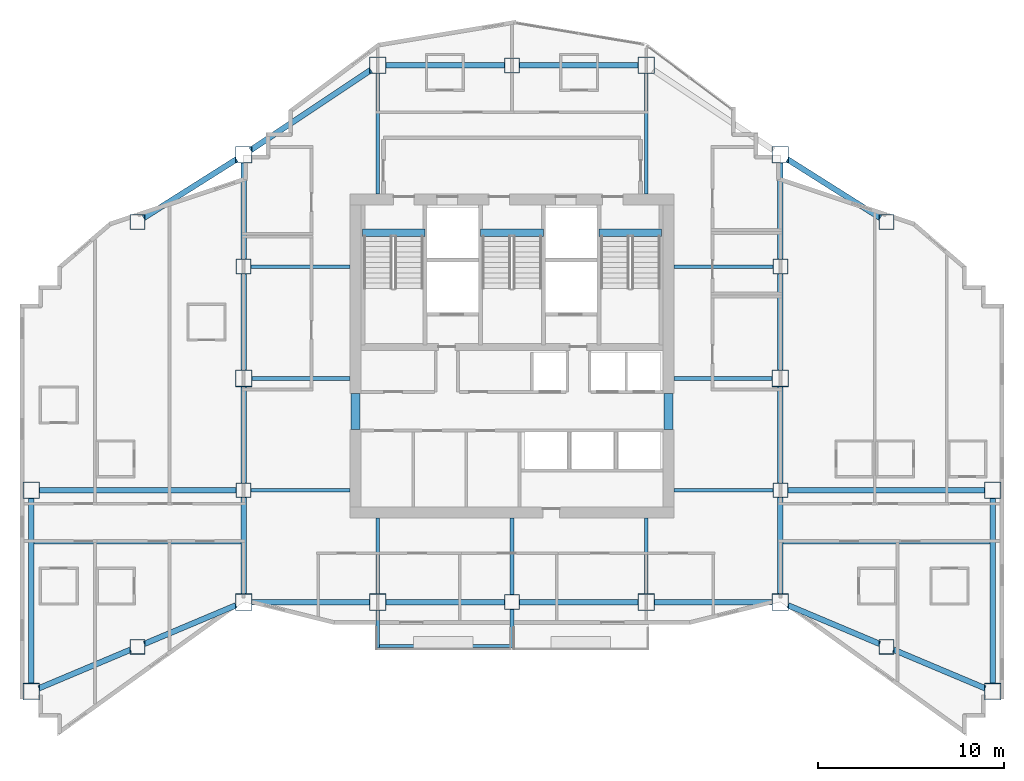
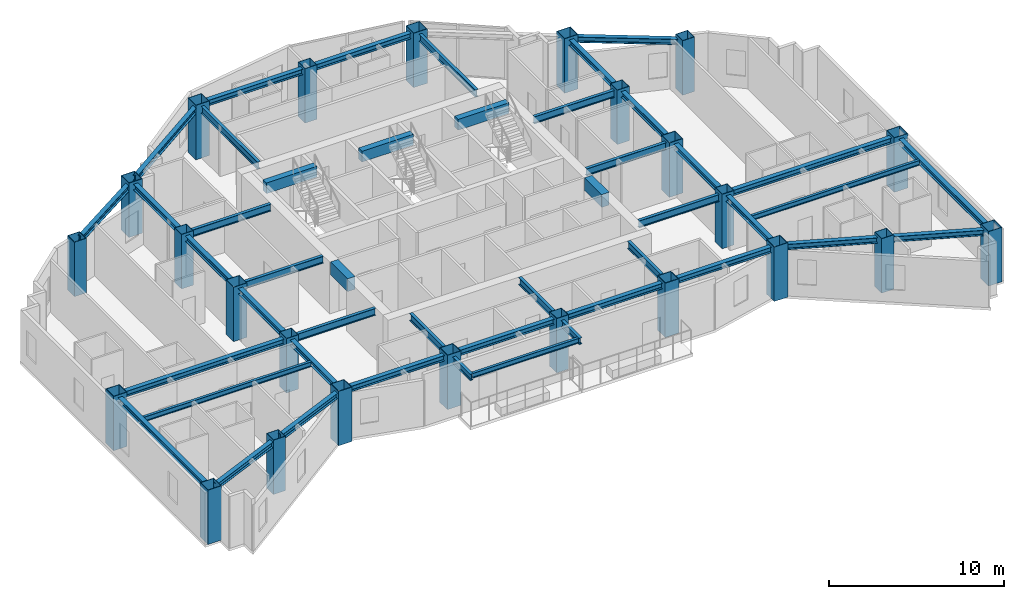
# One storey, part 1 of 11: 46 beams, 24 columns.
"""IFC4 building model written with IfcOpenShell, lengths in metres."""

from ifc_helpers import new_model, si_unit, direction, frame, origin, origin_2d, place, context, subcontext, project, spatial, rectangle, hollow_rectangle, i_section, extrude, material, material_profile, profile_set, type_object, element, save


model = new_model("IFC4")

# Units and contexts
model_context = context("Model", 3, precision=1e-05, world=origin(), true_north=direction((0.0, 1.0)))
body_context = subcontext(model_context, "Body", "Model", "MODEL_VIEW")
ifc_project = project(units=[si_unit("LENGTHUNIT", "METRE"), si_unit("AREAUNIT", "SQUARE_METRE"), si_unit("VOLUMEUNIT", "CUBIC_METRE"), si_unit("PLANEANGLEUNIT", "RADIAN"), si_unit("MASSUNIT", "GRAM", prefix="KILO")], contexts=[model_context])

# Site, building, storey
site_placement = place(None, origin())
site = spatial("IfcSite", under=ifc_project, at=site_placement, CompositionType="ELEMENT")
building_placement = place(site_placement, origin())
building = spatial("IfcBuilding", under=site, at=building_placement, Name="Haolan Belvedere Tower", CompositionType="ELEMENT")
storey_placement = place(building_placement, frame((0.0, 0.0, 215.39990234375)))
storey = spatial("IfcBuildingStorey", under=building, at=storey_placement, Name="L54", CompositionType="ELEMENT", Elevation=215.39990234375)

# Columns
ifc_material_1 = material(Name="Steel Q390GJC", Category="steel")
ifc_material_profile_1 = material_profile(ifc_material_1, hollow_rectangle(XDim=0.800048828125, YDim=0.800048828125, WallThickness=0.030029296875, at=origin_2d()), Name="Steel Q390GJC")
ifc_profile_set_1 = profile_set([ifc_material_profile_1], Name="Steel Q390GJC")
column_type_1 = type_object("IfcColumnType", Name="COL-BOX800x800x30", PredefinedType="COLUMN", material=ifc_profile_set_1)
for number, where, z_axis, x_axis, name in (
    (1, (24.0, 27.60009765625, 0.0), (0.0, 0.0, 1.0), (1.0, 0.0, 0.0), "L54 column TC-T3-W1 (BOX800x800x30)"),
    (2, (24.0, 39.60009765625, 0.0), (0.0, 0.0, 1.0), (1.0, 0.0, 0.0), "L54 column TC-T3-W2 (BOX800x800x30)"),
    (3, (52.800048828125, 27.60009765625, 0.0), (0.0, 0.0, 1.0), (1.0, 0.0, 0.0), "L54 column TC-T3-E1 (BOX800x800x30)"),
    (4, (52.800048828125, 39.60009765625, 0.0), (0.0, 0.0, 1.0), (1.0, 0.0, 0.0), "L54 column TC-T3-E2 (BOX800x800x30)"),
    (5, (38.39990234375, 21.60009765625, 0.0), (0.0, 0.0, 1.0), (1.0, 0.0, 0.0), "L54 column TC-T3-SM (BOX800x800x30)"),
    (6, (38.39990234375, 50.39990234375, 0.0), (0.0, 0.0, 1.0), (1.0, 0.0, 0.0), "L54 column TC-T3-NM (BOX800x800x30)"),
    (7, (18.300048828125, 19.199951171875, 0.0), (0.0, 0.0, 1.0), (1.0, 0.0, 0.0), "L54 column TC-T2-S1 (BOX800x800x30)"),
    (8, (18.300048828125, 42.0, 0.0), (0.0, 0.0, 1.0), (1.0, 0.0, 0.0), "L54 column TC-T2-N1 (BOX800x800x30)"),
    (9, (58.5, 19.199951171875, 0.0), (0.0, 0.0, 1.0), (1.0, 0.0, 0.0), "L54 column TC-T4-S1 (BOX800x800x30)"),
    (10, (58.5, 42.0, 0.0), (0.0, 0.0, 1.0), (1.0, 0.0, 0.0), "L54 column TC-T4-N1 (BOX800x800x30)"),
):
    element("IfcColumn", number, at=place(storey_placement, frame(where, z_axis=z_axis, x_axis=x_axis)), inside=storey, type_object=column_type_1, Name=name, PredefinedType="COLUMN", context=body_context, shape_type="SweptSolid", body=[
        extrude(hollow_rectangle(XDim=0.800048828125, YDim=0.800048828125, WallThickness=0.030029296875, at=origin_2d()), origin(), (0.0, 0.0, 1.0), 3.800048828125),
    ])
ifc_material_profile_2 = material_profile(ifc_material_1, hollow_rectangle(XDim=0.89990234375, YDim=0.89990234375, WallThickness=0.033935546875, at=origin_2d()), Name="Steel Q390GJC")
ifc_profile_set_2 = profile_set([ifc_material_profile_2], Name="Steel Q390GJC")
column_type_2 = type_object("IfcColumnType", Name="COL-BOX900x900x34", PredefinedType="COLUMN", material=ifc_profile_set_2)
for number, where, z_axis, x_axis, name in (
    (11, (24.0, 21.60009765625, 0.0), (0.0, 0.0, 1.0), (1.0, 0.0, 0.0), "L54 column MC-T3-SW (BOX900x900x34)"),
    (12, (24.0, 33.60009765625, 0.0), (0.0, 0.0, 1.0), (1.0, 0.0, 0.0), "L54 column MC-T3-MW (BOX900x900x34)"),
    (13, (24.0, 45.60009765625, 0.0), (0.0, 0.0, 1.0), (1.0, 0.0, 0.0), "L54 column MC-T3-NW (BOX900x900x34)"),
    (14, (52.800048828125, 21.60009765625, 0.0), (0.0, 0.0, 1.0), (1.0, 0.0, 0.0), "L54 column MC-T3-SE (BOX900x900x34)"),
    (15, (52.800048828125, 33.60009765625, 0.0), (0.0, 0.0, 1.0), (1.0, 0.0, 0.0), "L54 column MC-T3-ME (BOX900x900x34)"),
    (16, (52.800048828125, 45.60009765625, 0.0), (0.0, 0.0, 1.0), (1.0, 0.0, 0.0), "L54 column MC-T3-NE (BOX900x900x34)"),
    (17, (31.199951171875, 21.60009765625, 0.0), (0.0, 0.0, 1.0), (1.0, 0.0, 0.0), "L54 column MC-T3-S1 (BOX900x900x34)"),
    (18, (45.60009765625, 21.60009765625, 0.0), (0.0, 0.0, 1.0), (1.0, 0.0, 0.0), "L54 column MC-T3-S2 (BOX900x900x34)"),
    (19, (31.199951171875, 50.39990234375, 0.0), (0.0, 0.0, 1.0), (1.0, 0.0, 0.0), "L54 column MC-T3-N1 (BOX900x900x34)"),
    (20, (45.60009765625, 50.39990234375, 0.0), (0.0, 0.0, 1.0), (1.0, 0.0, 0.0), "L54 column MC-T3-N2 (BOX900x900x34)"),
    (21, (12.60009765625, 16.800048828125, 0.0), (0.0, 0.0, 1.0), (1.0, 0.0, 0.0), "L54 column MC-T2-SW (BOX900x900x34)"),
    (22, (12.60009765625, 27.60009765625, 0.0), (0.0, 0.0, 1.0), (1.0, 0.0, 0.0), "L54 column MC-T2-MW (BOX900x900x34)"),
    (23, (64.199951171875, 16.800048828125, 0.0), (0.0, 0.0, 1.0), (1.0, 0.0, 0.0), "L54 column MC-T4-SE (BOX900x900x34)"),
    (24, (64.199951171875, 27.60009765625, 0.0), (0.0, 0.0, 1.0), (1.0, 0.0, 0.0), "L54 column MC-T4-ME (BOX900x900x34)"),
):
    element("IfcColumn", number, at=place(storey_placement, frame(where, z_axis=z_axis, x_axis=x_axis)), inside=storey, type_object=column_type_2, Name=name, PredefinedType="COLUMN", context=body_context, shape_type="SweptSolid", body=[
        extrude(hollow_rectangle(XDim=0.89990234375, YDim=0.89990234375, WallThickness=0.033935546875, at=origin_2d()), origin(), (0.0, 0.0, 1.0), 3.800048828125),
    ])

# Beams
ifc_material_2 = material(Name="Steel Q355B", Category="steel")
ifc_material_profile_3 = material_profile(ifc_material_2, i_section(OverallWidth=0.300048828125, OverallDepth=0.389892578125, WebThickness=0.010009765625, FlangeThickness=0.01611328125, FilletRadius=0.02197265625, at=origin_2d()), Name="Steel Q355B")
ifc_profile_set_3 = profile_set([ifc_material_profile_3], Name="Steel Q355B")
beam_type_1 = type_object("IfcBeamType", Name="BM-HM390x300x10x16", PredefinedType="SPANDREL", material=ifc_profile_set_3)
for number, where, z_axis, x_axis, name in (
    (25, (24.0, 22.050048828125, 3.425048828125), (0.0, 1.0, 0.0), (-1.0, 0.0, 0.0), "L54 spandrel girder MC-T3-SW-TC-T3-W1"),
    (26, (24.0, 28.0, 3.425048828125), (0.0, 1.0, 0.0), (-1.0, 0.0, 0.0), "L54 spandrel girder TC-T3-W1-MC-T3-MW"),
    (27, (24.0, 34.050048828125, 3.425048828125), (0.0, 1.0, 0.0), (-1.0, 0.0, 0.0), "L54 spandrel girder MC-T3-MW-TC-T3-W2"),
    (28, (24.0, 40.0, 3.425048828125), (0.0, 1.0, 0.0), (-1.0, 0.0, 0.0), "L54 spandrel girder TC-T3-W2-MC-T3-NW"),
    (29, (52.800048828125, 22.050048828125, 3.425048828125), (0.0, 1.0, 0.0), (-1.0, 0.0, 0.0), "L54 spandrel girder MC-T3-SE-TC-T3-E1"),
    (30, (52.800048828125, 28.0, 3.425048828125), (0.0, 1.0, 0.0), (-1.0, 0.0, 0.0), "L54 spandrel girder TC-T3-E1-MC-T3-ME"),
    (31, (52.800048828125, 34.050048828125, 3.425048828125), (0.0, 1.0, 0.0), (-1.0, 0.0, 0.0), "L54 spandrel girder MC-T3-ME-TC-T3-E2"),
    (32, (52.800048828125, 40.0, 3.425048828125), (0.0, 1.0, 0.0), (-1.0, 0.0, 0.0), "L54 spandrel girder TC-T3-E2-MC-T3-NE"),
):
    element("IfcBeam", number, at=place(storey_placement, frame(where, z_axis=z_axis, x_axis=x_axis)), inside=storey, type_object=beam_type_1, Name=name, PredefinedType="SPANDREL", context=body_context, shape_type="SweptSolid", body=[
        extrude(i_section(OverallWidth=0.300048828125, OverallDepth=0.389892578125, WebThickness=0.010009765625, FlangeThickness=0.01611328125, FilletRadius=0.02197265625, at=origin_2d()), origin(), (0.0, 0.0, 1.0), 5.14990234375),
    ])
beam_1_placement = place(storey_placement, frame((24.449951171875, 21.60009765625, 3.425048828125), z_axis=(1.0, 0.0, 0.0), x_axis=(0.0, 1.0, 0.0)))
element("IfcBeam", 33, at=beam_1_placement, inside=storey, type_object=beam_type_1, Name="L54 spandrel girder MC-T3-SW-MC-T3-S1", PredefinedType="SPANDREL", context=body_context, shape_type="SweptSolid", body=[
    extrude(i_section(OverallWidth=0.300048828125, OverallDepth=0.389892578125, WebThickness=0.010009765625, FlangeThickness=0.01611328125, FilletRadius=0.02197265625, at=origin_2d()), origin(), (0.0, 0.0, 1.0), 6.300048828125),
])
beam_2_placement = place(storey_placement, frame((31.64990234375, 21.60009765625, 3.425048828125), z_axis=(1.0, 0.0, 0.0), x_axis=(0.0, 1.0, 0.0)))
element("IfcBeam", 34, at=beam_2_placement, inside=storey, type_object=beam_type_1, Name="L54 spandrel girder MC-T3-S1-TC-T3-SM", PredefinedType="SPANDREL", context=body_context, shape_type="SweptSolid", body=[
    extrude(i_section(OverallWidth=0.300048828125, OverallDepth=0.389892578125, WebThickness=0.010009765625, FlangeThickness=0.01611328125, FilletRadius=0.02197265625, at=origin_2d()), origin(), (0.0, 0.0, 1.0), 6.35009765625),
])
beam_3_placement = place(storey_placement, frame((38.800048828125, 21.60009765625, 3.425048828125), z_axis=(1.0, 0.0, 0.0), x_axis=(0.0, 1.0, 0.0)))
element("IfcBeam", 35, at=beam_3_placement, inside=storey, type_object=beam_type_1, Name="L54 spandrel girder TC-T3-SM-MC-T3-S2", PredefinedType="SPANDREL", context=body_context, shape_type="SweptSolid", body=[
    extrude(i_section(OverallWidth=0.300048828125, OverallDepth=0.389892578125, WebThickness=0.010009765625, FlangeThickness=0.01611328125, FilletRadius=0.02197265625, at=origin_2d()), origin(), (0.0, 0.0, 1.0), 6.349853515625),
])
beam_4_placement = place(storey_placement, frame((46.050048828125, 21.60009765625, 3.425048828125), z_axis=(1.0, 0.0, 0.0), x_axis=(0.0, 1.0, 0.0)))
element("IfcBeam", 36, at=beam_4_placement, inside=storey, type_object=beam_type_1, Name="L54 spandrel girder MC-T3-S2-MC-T3-SE", PredefinedType="SPANDREL", context=body_context, shape_type="SweptSolid", body=[
    extrude(i_section(OverallWidth=0.300048828125, OverallDepth=0.389892578125, WebThickness=0.010009765625, FlangeThickness=0.01611328125, FilletRadius=0.02197265625, at=origin_2d()), origin(), (0.0, 0.0, 1.0), 6.300048828125),
])
beam_5_placement = place(storey_placement, frame((24.37451171875, 45.849609375, 3.425048828125), z_axis=(0.832050294338, 0.554700196225, 0.0), x_axis=(-0.554700196225, 0.832050294338, 0.0)))
element("IfcBeam", 37, at=beam_5_placement, inside=storey, type_object=beam_type_1, Name="L54 spandrel girder MC-T3-NW-MC-T3-N1", PredefinedType="SPANDREL", context=body_context, shape_type="SweptSolid", body=[
    extrude(i_section(OverallWidth=0.300048828125, OverallDepth=0.389892578125, WebThickness=0.010009765625, FlangeThickness=0.01611328125, FilletRadius=0.02197265625, at=origin_2d()), origin(), (0.0, 0.0, 1.0), 7.75341796875),
])
beam_6_placement = place(storey_placement, frame((31.64990234375, 50.39990234375, 3.425048828125), z_axis=(1.0, 0.0, 0.0), x_axis=(0.0, 1.0, 0.0)))
element("IfcBeam", 38, at=beam_6_placement, inside=storey, type_object=beam_type_1, Name="L54 spandrel girder MC-T3-N1-TC-T3-NM", PredefinedType="SPANDREL", context=body_context, shape_type="SweptSolid", body=[
    extrude(i_section(OverallWidth=0.300048828125, OverallDepth=0.389892578125, WebThickness=0.010009765625, FlangeThickness=0.01611328125, FilletRadius=0.02197265625, at=origin_2d()), origin(), (0.0, 0.0, 1.0), 6.35009765625),
])
beam_7_placement = place(storey_placement, frame((38.800048828125, 50.39990234375, 3.425048828125), z_axis=(1.0, 0.0, 0.0), x_axis=(0.0, 1.0, 0.0)))
element("IfcBeam", 39, at=beam_7_placement, inside=storey, type_object=beam_type_1, Name="L54 spandrel girder TC-T3-NM-MC-T3-N2", PredefinedType="SPANDREL", context=body_context, shape_type="SweptSolid", body=[
    extrude(i_section(OverallWidth=0.300048828125, OverallDepth=0.389892578125, WebThickness=0.010009765625, FlangeThickness=0.01611328125, FilletRadius=0.02197265625, at=origin_2d()), origin(), (0.0, 0.0, 1.0), 6.349853515625),
])
beam_8_placement = place(storey_placement, frame((12.60009765625, 17.25, 3.425048828125), z_axis=(0.0, 1.0, 0.0), x_axis=(-1.0, 0.0, 0.0)))
element("IfcBeam", 40, at=beam_8_placement, inside=storey, type_object=beam_type_1, Name="L54 spandrel girder MC-T2-SW-MC-T2-MW", PredefinedType="SPANDREL", context=body_context, shape_type="SweptSolid", body=[
    extrude(i_section(OverallWidth=0.300048828125, OverallDepth=0.389892578125, WebThickness=0.010009765625, FlangeThickness=0.01611328125, FilletRadius=0.02197265625, at=origin_2d()), origin(), (0.0, 0.0, 1.0), 9.89990234375),
])
beam_9_placement = place(storey_placement, frame((13.0146484375, 16.974609375, 3.425048828125), z_axis=(0.921644850741, 0.388034494733, 0.0), x_axis=(-0.388034494733, 0.921644850741, 0.0)))
element("IfcBeam", 41, at=beam_9_placement, inside=storey, type_object=beam_type_1, Name="L54 spandrel girder MC-T2-SW-TC-T2-S1", PredefinedType="SPANDREL", context=body_context, shape_type="SweptSolid", body=[
    extrude(i_section(OverallWidth=0.300048828125, OverallDepth=0.389892578125, WebThickness=0.010009765625, FlangeThickness=0.01611328125, FilletRadius=0.02197265625, at=origin_2d()), origin(), (0.0, 0.0, 1.0), 5.334716796875),
])
beam_10_placement = place(storey_placement, frame((18.668701171875, 19.355224609375, 3.425048828125), z_axis=(0.921637959557, 0.388050862006, 0.0), x_axis=(-0.388050862006, 0.921637959557, 0.0)))
element("IfcBeam", 42, at=beam_10_placement, inside=storey, type_object=beam_type_1, Name="L54 spandrel girder TC-T2-S1-MC-T3-SW", PredefinedType="SPANDREL", context=body_context, shape_type="SweptSolid", body=[
    extrude(i_section(OverallWidth=0.300048828125, OverallDepth=0.389892578125, WebThickness=0.010009765625, FlangeThickness=0.01611328125, FilletRadius=0.02197265625, at=origin_2d()), origin(), (0.0, 0.0, 1.0), 5.33447265625),
])
beam_11_placement = place(storey_placement, frame((18.63818359375, 42.213623046875, 3.425048828125), z_axis=(0.845502688092, 0.533971164417, 0.0), x_axis=(-0.533971164417, 0.845502688092, 0.0)))
element("IfcBeam", 43, at=beam_11_placement, inside=storey, type_object=beam_type_1, Name="L54 spandrel girder TC-T2-N1-MC-T3-NW", PredefinedType="SPANDREL", context=body_context, shape_type="SweptSolid", body=[
    extrude(i_section(OverallWidth=0.300048828125, OverallDepth=0.389892578125, WebThickness=0.010009765625, FlangeThickness=0.01611328125, FilletRadius=0.02197265625, at=origin_2d()), origin(), (0.0, 0.0, 1.0), 5.8916015625),
])
beam_12_placement = place(storey_placement, frame((13.050048828125, 27.60009765625, 3.425048828125), z_axis=(1.0, 0.0, 0.0), x_axis=(0.0, 1.0, 0.0)))
element("IfcBeam", 44, at=beam_12_placement, inside=storey, type_object=beam_type_1, Name="L54 spandrel girder MC-T2-MW-TC-T3-W1", PredefinedType="SPANDREL", context=body_context, shape_type="SweptSolid", body=[
    extrude(i_section(OverallWidth=0.300048828125, OverallDepth=0.389892578125, WebThickness=0.010009765625, FlangeThickness=0.01611328125, FilletRadius=0.02197265625, at=origin_2d()), origin(), (0.0, 0.0, 1.0), 10.550048828125),
])
beam_13_placement = place(storey_placement, frame((64.199951171875, 17.25, 3.425048828125), z_axis=(0.0, 1.0, 0.0), x_axis=(-1.0, 0.0, 0.0)))
element("IfcBeam", 45, at=beam_13_placement, inside=storey, type_object=beam_type_1, Name="L54 spandrel girder MC-T4-SE-MC-T4-ME", PredefinedType="SPANDREL", context=body_context, shape_type="SweptSolid", body=[
    extrude(i_section(OverallWidth=0.300048828125, OverallDepth=0.389892578125, WebThickness=0.010009765625, FlangeThickness=0.01611328125, FilletRadius=0.02197265625, at=origin_2d()), origin(), (0.0, 0.0, 1.0), 9.89990234375),
])
for number, where, z_axis, x_axis, name in (
    (46, (53.21484375, 21.42529296875, 3.425048828125), (0.921637959557, -0.388050862006, 0.0), (0.388050862006, 0.921637959557, 0.0), "L54 spandrel girder MC-T3-SE-TC-T4-S1"),
    (47, (58.86865234375, 19.044677734375, 3.425048828125), (0.921637959557, -0.388050862006, 0.0), (0.388050862006, 0.921637959557, 0.0), "L54 spandrel girder TC-T4-S1-MC-T4-SE"),
):
    element("IfcBeam", number, at=place(storey_placement, frame(where, z_axis=z_axis, x_axis=x_axis)), inside=storey, type_object=beam_type_1, Name=name, PredefinedType="SPANDREL", context=body_context, shape_type="SweptSolid", body=[
        extrude(i_section(OverallWidth=0.300048828125, OverallDepth=0.389892578125, WebThickness=0.010009765625, FlangeThickness=0.01611328125, FilletRadius=0.02197265625, at=origin_2d()), origin(), (0.0, 0.0, 1.0), 5.33447265625),
    ])
beam_14_placement = place(storey_placement, frame((53.180419921875, 45.359619140625, 3.425048828125), z_axis=(0.845502688092, -0.533971164417, 0.0), x_axis=(0.533971164417, 0.845502688092, 0.0)))
element("IfcBeam", 48, at=beam_14_placement, inside=storey, type_object=beam_type_1, Name="L54 spandrel girder MC-T3-NE-TC-T4-N1", PredefinedType="SPANDREL", context=body_context, shape_type="SweptSolid", body=[
    extrude(i_section(OverallWidth=0.300048828125, OverallDepth=0.389892578125, WebThickness=0.010009765625, FlangeThickness=0.01611328125, FilletRadius=0.02197265625, at=origin_2d()), origin(), (0.0, 0.0, 1.0), 5.8916015625),
])
beam_15_placement = place(storey_placement, frame((53.199951171875, 27.60009765625, 3.425048828125), z_axis=(1.0, 0.0, 0.0), x_axis=(0.0, 1.0, 0.0)))
element("IfcBeam", 49, at=beam_15_placement, inside=storey, type_object=beam_type_1, Name="L54 spandrel girder TC-T3-E1-MC-T4-ME", PredefinedType="SPANDREL", context=body_context, shape_type="SweptSolid", body=[
    extrude(i_section(OverallWidth=0.300048828125, OverallDepth=0.389892578125, WebThickness=0.010009765625, FlangeThickness=0.01611328125, FilletRadius=0.02197265625, at=origin_2d()), origin(), (0.0, 0.0, 1.0), 10.550048828125),
])
ifc_material_profile_4 = material_profile(ifc_material_2, i_section(OverallWidth=0.175048828125, OverallDepth=0.35009765625, WebThickness=0.007080078125, FlangeThickness=0.010986328125, FilletRadius=0.012939453125, at=origin_2d()), Name="Steel Q355B")
ifc_profile_set_4 = profile_set([ifc_material_profile_4], Name="Steel Q355B")
beam_type_2 = type_object("IfcBeamType", Name="BM-HN350x175x7x11", PredefinedType="JOIST", material=ifc_profile_set_4)
for number, where, z_axis, x_axis, name in (
    (50, (12.75, 24.800048828125, 3.445068359375), (1.0, 0.0, 0.0), (0.0, 1.0, 0.0), "L54 west wing floor joist 1"),
    (51, (52.949951171875, 24.800048828125, 3.445068359375), (1.0, 0.0, 0.0), (0.0, 1.0, 0.0), "L54 east wing floor joist 1"),
):
    element("IfcBeam", number, at=place(storey_placement, frame(where, z_axis=z_axis, x_axis=x_axis)), inside=storey, type_object=beam_type_2, Name=name, PredefinedType="JOIST", context=body_context, shape_type="SweptSolid", body=[
        extrude(i_section(OverallWidth=0.175048828125, OverallDepth=0.35009765625, WebThickness=0.007080078125, FlangeThickness=0.010986328125, FilletRadius=0.012939453125, at=origin_2d()), origin(), (0.0, 0.0, 1.0), 11.10009765625),
    ])
beam_16_placement = place(storey_placement, frame((31.300048828125, 19.239990234375, 3.39501953125), z_axis=(1.0, 0.0, 0.0), x_axis=(0.0, 1.0, 0.0)))
element("IfcBeam", 52, at=beam_16_placement, inside=storey, type_object=beam_type_2, Name="L55 tree-balcony front trimmer beam 1", PredefinedType="BEAM", context=body_context, shape_type="SweptSolid", body=[
    extrude(i_section(OverallWidth=0.175048828125, OverallDepth=0.35009765625, WebThickness=0.007080078125, FlangeThickness=0.010986328125, FilletRadius=0.012939453125, at=origin_2d()), origin(), (0.0, 0.0, 1.0), 7.0),
])
ifc_material_profile_5 = material_profile(ifc_material_2, i_section(OverallWidth=0.199951171875, OverallDepth=0.449951171875, WebThickness=0.009033203125, FlangeThickness=0.013916015625, FilletRadius=0.01611328125, at=origin_2d()), Name="Steel Q355B")
ifc_profile_set_5 = profile_set([ifc_material_profile_5], Name="Steel Q355B")
beam_type_3 = type_object("IfcBeamType", Name="BM-HN450x200x9x14", PredefinedType="BEAM", material=ifc_profile_set_5)
beam_17_placement = place(storey_placement, frame((31.199951171875, 21.14990234375, 3.34521484375), z_axis=(0.0, -1.0, 0.0), x_axis=(1.0, 0.0, 0.0)))
element("IfcBeam", 53, at=beam_17_placement, inside=storey, type_object=beam_type_3, Name="L55 tree-balcony column cantilever MC-T3-S1", PredefinedType="BEAM", context=body_context, shape_type="SweptSolid", body=[
    extrude(i_section(OverallWidth=0.199951171875, OverallDepth=0.449951171875, WebThickness=0.009033203125, FlangeThickness=0.013916015625, FilletRadius=0.01611328125, at=origin_2d()), origin(), (0.0, 0.0, 1.0), 2.010009765625),
])
beam_18_placement = place(storey_placement, frame((38.39990234375, 21.199951171875, 3.34521484375), z_axis=(0.0, -1.0, 0.0), x_axis=(1.0, 0.0, 0.0)))
element("IfcBeam", 54, at=beam_18_placement, inside=storey, type_object=beam_type_3, Name="L55 tree-balcony column cantilever TC-T3-SM", PredefinedType="BEAM", context=body_context, shape_type="SweptSolid", body=[
    extrude(i_section(OverallWidth=0.199951171875, OverallDepth=0.449951171875, WebThickness=0.009033203125, FlangeThickness=0.013916015625, FilletRadius=0.01611328125, at=origin_2d()), origin(), (0.0, 0.0, 1.0), 2.06005859375),
])
ifc_material_profile_6 = material_profile(ifc_material_2, i_section(OverallWidth=0.199951171875, OverallDepth=0.5, WebThickness=0.010009765625, FlangeThickness=0.01611328125, FilletRadius=0.02001953125, at=origin_2d()), Name="Steel Q355B")
ifc_profile_set_6 = profile_set([ifc_material_profile_6], Name="Steel Q355B")
beam_type_4 = type_object("IfcBeamType", Name="BM-HN500x200x10x16", PredefinedType="BEAM", material=ifc_profile_set_6)
beam_19_placement = place(storey_placement, frame((24.449951171875, 33.60009765625, 3.3701171875), z_axis=(1.0, 0.0, 0.0), x_axis=(0.0, 1.0, 0.0)))
element("IfcBeam", 55, at=beam_19_placement, inside=storey, type_object=beam_type_4, Name="L54 core tie beam from MC-T3-MW", PredefinedType="BEAM", context=body_context, shape_type="SweptSolid", body=[
    extrude(i_section(OverallWidth=0.199951171875, OverallDepth=0.5, WebThickness=0.010009765625, FlangeThickness=0.01611328125, FilletRadius=0.02001953125, at=origin_2d()), origin(), (0.0, 0.0, 1.0), 5.25),
])
for number, where, z_axis, x_axis, name in (
    (56, (24.39990234375, 27.60009765625, 3.3701171875), (1.0, 0.0, 0.0), (0.0, 1.0, 0.0), "L54 core tie beam from TC-T3-W1"),
    (57, (24.39990234375, 39.60009765625, 3.3701171875), (1.0, 0.0, 0.0), (0.0, 1.0, 0.0), "L54 core tie beam from TC-T3-W2"),
):
    element("IfcBeam", number, at=place(storey_placement, frame(where, z_axis=z_axis, x_axis=x_axis)), inside=storey, type_object=beam_type_4, Name=name, PredefinedType="BEAM", context=body_context, shape_type="SweptSolid", body=[
        extrude(i_section(OverallWidth=0.199951171875, OverallDepth=0.5, WebThickness=0.010009765625, FlangeThickness=0.01611328125, FilletRadius=0.02001953125, at=origin_2d()), origin(), (0.0, 0.0, 1.0), 5.300048828125),
    ])
beam_20_placement = place(storey_placement, frame((52.35009765625, 33.60009765625, 3.3701171875), z_axis=(-1.0, 0.0, 0.0), x_axis=(0.0, -1.0, 0.0)))
element("IfcBeam", 58, at=beam_20_placement, inside=storey, type_object=beam_type_4, Name="L54 core tie beam from MC-T3-ME", PredefinedType="BEAM", context=body_context, shape_type="SweptSolid", body=[
    extrude(i_section(OverallWidth=0.199951171875, OverallDepth=0.5, WebThickness=0.010009765625, FlangeThickness=0.01611328125, FilletRadius=0.02001953125, at=origin_2d()), origin(), (0.0, 0.0, 1.0), 5.25),
])
for number, where, z_axis, x_axis, name in (
    (59, (52.39990234375, 27.60009765625, 3.3701171875), (-1.0, 0.0, 0.0), (0.0, -1.0, 0.0), "L54 core tie beam from TC-T3-E1"),
    (60, (52.39990234375, 39.60009765625, 3.3701171875), (-1.0, 0.0, 0.0), (0.0, -1.0, 0.0), "L54 core tie beam from TC-T3-E2"),
):
    element("IfcBeam", number, at=place(storey_placement, frame(where, z_axis=z_axis, x_axis=x_axis)), inside=storey, type_object=beam_type_4, Name=name, PredefinedType="BEAM", context=body_context, shape_type="SweptSolid", body=[
        extrude(i_section(OverallWidth=0.199951171875, OverallDepth=0.5, WebThickness=0.010009765625, FlangeThickness=0.01611328125, FilletRadius=0.02001953125, at=origin_2d()), origin(), (0.0, 0.0, 1.0), 5.2998046875),
    ])
beam_21_placement = place(storey_placement, frame((31.199951171875, 22.050048828125, 3.3701171875), z_axis=(0.0, 1.0, 0.0), x_axis=(-1.0, 0.0, 0.0)))
element("IfcBeam", 61, at=beam_21_placement, inside=storey, type_object=beam_type_4, Name="L54 core tie beam from MC-T3-S1", PredefinedType="BEAM", context=body_context, shape_type="SweptSolid", body=[
    extrude(i_section(OverallWidth=0.199951171875, OverallDepth=0.5, WebThickness=0.010009765625, FlangeThickness=0.01611328125, FilletRadius=0.02001953125, at=origin_2d()), origin(), (0.0, 0.0, 1.0), 4.050048828125),
])
beam_22_placement = place(storey_placement, frame((38.39990234375, 22.0, 3.3701171875), z_axis=(0.0, 1.0, 0.0), x_axis=(-1.0, 0.0, 0.0)))
element("IfcBeam", 62, at=beam_22_placement, inside=storey, type_object=beam_type_4, Name="L54 core tie beam from TC-T3-SM", PredefinedType="BEAM", context=body_context, shape_type="SweptSolid", body=[
    extrude(i_section(OverallWidth=0.199951171875, OverallDepth=0.5, WebThickness=0.010009765625, FlangeThickness=0.01611328125, FilletRadius=0.02001953125, at=origin_2d()), origin(), (0.0, 0.0, 1.0), 4.10009765625),
])
beam_23_placement = place(storey_placement, frame((45.60009765625, 22.050048828125, 3.3701171875), z_axis=(0.0, 1.0, 0.0), x_axis=(-1.0, 0.0, 0.0)))
element("IfcBeam", 63, at=beam_23_placement, inside=storey, type_object=beam_type_4, Name="L54 core tie beam from MC-T3-S2", PredefinedType="BEAM", context=body_context, shape_type="SweptSolid", body=[
    extrude(i_section(OverallWidth=0.199951171875, OverallDepth=0.5, WebThickness=0.010009765625, FlangeThickness=0.01611328125, FilletRadius=0.02001953125, at=origin_2d()), origin(), (0.0, 0.0, 1.0), 4.050048828125),
])
for number, where, z_axis, x_axis, name in (
    (64, (31.199951171875, 49.949951171875, 3.3701171875), (0.0, -1.0, 0.0), (1.0, 0.0, 0.0), "L54 core tie beam from MC-T3-N1"),
    (65, (45.60009765625, 49.949951171875, 3.3701171875), (0.0, -1.0, 0.0), (1.0, 0.0, 0.0), "L54 core tie beam from MC-T3-N2"),
):
    element("IfcBeam", number, at=place(storey_placement, frame(where, z_axis=z_axis, x_axis=x_axis)), inside=storey, type_object=beam_type_4, Name=name, PredefinedType="BEAM", context=body_context, shape_type="SweptSolid", body=[
        extrude(i_section(OverallWidth=0.199951171875, OverallDepth=0.5, WebThickness=0.010009765625, FlangeThickness=0.01611328125, FilletRadius=0.02001953125, at=origin_2d()), origin(), (0.0, 0.0, 1.0), 6.449951171875),
    ])
ifc_material_3 = material(Name="Concrete C50/60", Category="concrete")
ifc_material_profile_7 = material_profile(ifc_material_3, rectangle(XDim=0.39990234375, YDim=0.75, at=origin_2d()), Name="Concrete C50/60")
ifc_profile_set_7 = profile_set([ifc_material_profile_7], Name="Concrete C50/60")
beam_type_5 = type_object("IfcBeamType", Name="BM-RC400x750", PredefinedType="T_BEAM", material=ifc_profile_set_7)
beam_24_placement = place(storey_placement, frame((30.3798828125, 41.429931640625, 3.425048828125), z_axis=(1.0, 0.0, 0.0), x_axis=(0.0, 1.0, 0.0)))
element("IfcBeam", 66, at=beam_24_placement, inside=storey, type_object=beam_type_5, Name="L55 stair ST1 RC header trimmer beam", PredefinedType="BEAM", context=body_context, shape_type="SweptSolid", body=[
    extrude(rectangle(XDim=0.39990234375, YDim=0.75, at=origin_2d()), origin(), (0.0, 0.0, 1.0), 3.360107421875),
])
beam_25_placement = place(storey_placement, frame((36.699951171875, 41.429931640625, 3.425048828125), z_axis=(1.0, 0.0, 0.0), x_axis=(0.0, 1.0, 0.0)))
element("IfcBeam", 67, at=beam_25_placement, inside=storey, type_object=beam_type_5, Name="L55 stair ST3 RC header trimmer beam", PredefinedType="BEAM", context=body_context, shape_type="SweptSolid", body=[
    extrude(rectangle(XDim=0.39990234375, YDim=0.75, at=origin_2d()), origin(), (0.0, 0.0, 1.0), 3.400146484375),
])
beam_26_placement = place(storey_placement, frame((43.06005859375, 41.429931640625, 3.425048828125), z_axis=(1.0, 0.0, 0.0), x_axis=(0.0, 1.0, 0.0)))
element("IfcBeam", 68, at=beam_26_placement, inside=storey, type_object=beam_type_5, Name="L55 stair ST2 RC header trimmer beam", PredefinedType="BEAM", context=body_context, shape_type="SweptSolid", body=[
    extrude(rectangle(XDim=0.39990234375, YDim=0.75, at=origin_2d()), origin(), (0.0, 0.0, 1.0), 3.35986328125),
])
ifc_material_4 = material(Name="Concrete C60/75", Category="concrete")
ifc_material_profile_8 = material_profile(ifc_material_4, rectangle(XDim=0.5, YDim=0.89990234375, at=origin_2d()), Name="Concrete C60/75")
ifc_profile_set_8 = profile_set([ifc_material_profile_8], Name="Concrete C60/75")
beam_type_6 = type_object("IfcBeamType", Name="BM-RC500x900", PredefinedType="LINTEL", material=ifc_profile_set_8)
for number, where, z_axis, x_axis, name in (
    (69, (30.0, 30.85009765625, 3.170166015625), (0.0, 1.0, 0.0), (-1.0, 0.0, 0.0), "L54 west core coupling beam CB-01"),
    (70, (46.800048828125, 30.85009765625, 3.170166015625), (0.0, 1.0, 0.0), (-1.0, 0.0, 0.0), "L54 east core coupling beam CB-01"),
):
    element("IfcBeam", number, at=place(storey_placement, frame(where, z_axis=z_axis, x_axis=x_axis)), inside=storey, type_object=beam_type_6, Name=name, PredefinedType="LINTEL", context=body_context, shape_type="SweptSolid", body=[
        extrude(rectangle(XDim=0.5, YDim=0.89990234375, at=origin_2d()), origin(), (0.0, 0.0, 1.0), 1.949951171875),
    ])

save(model, "model.ifc")
